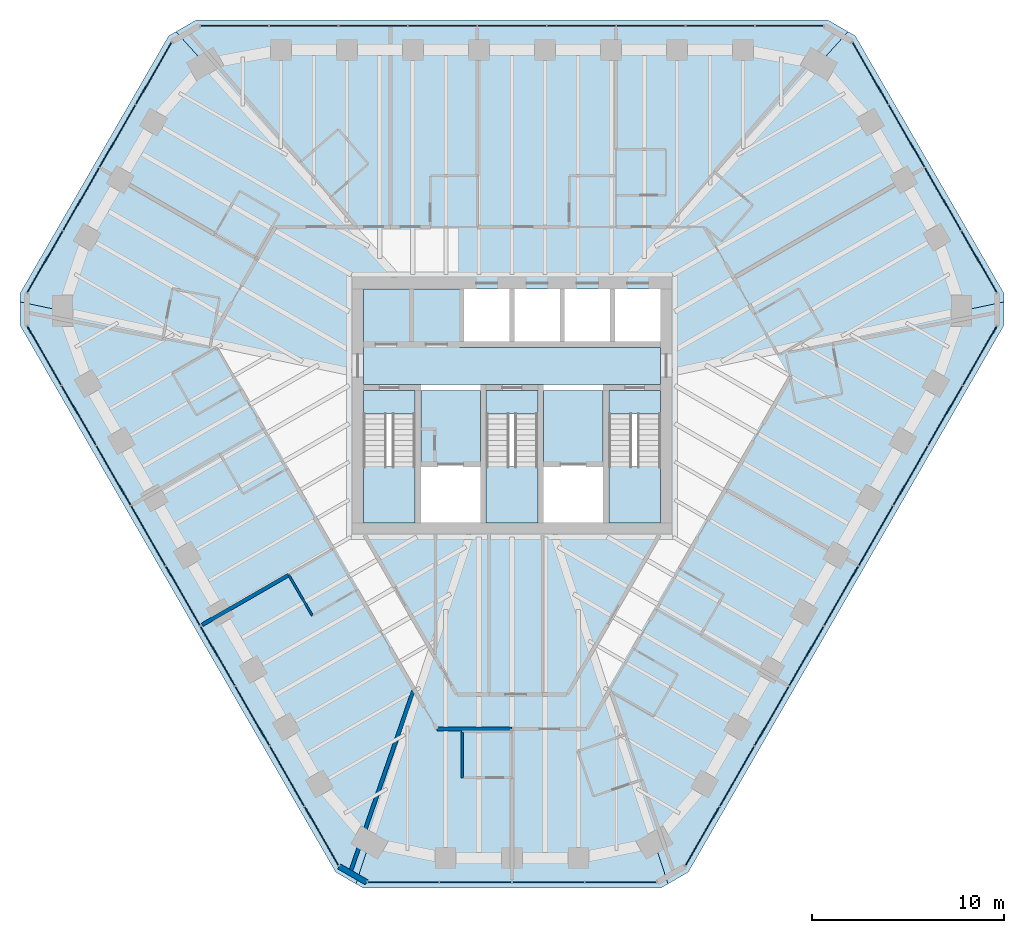
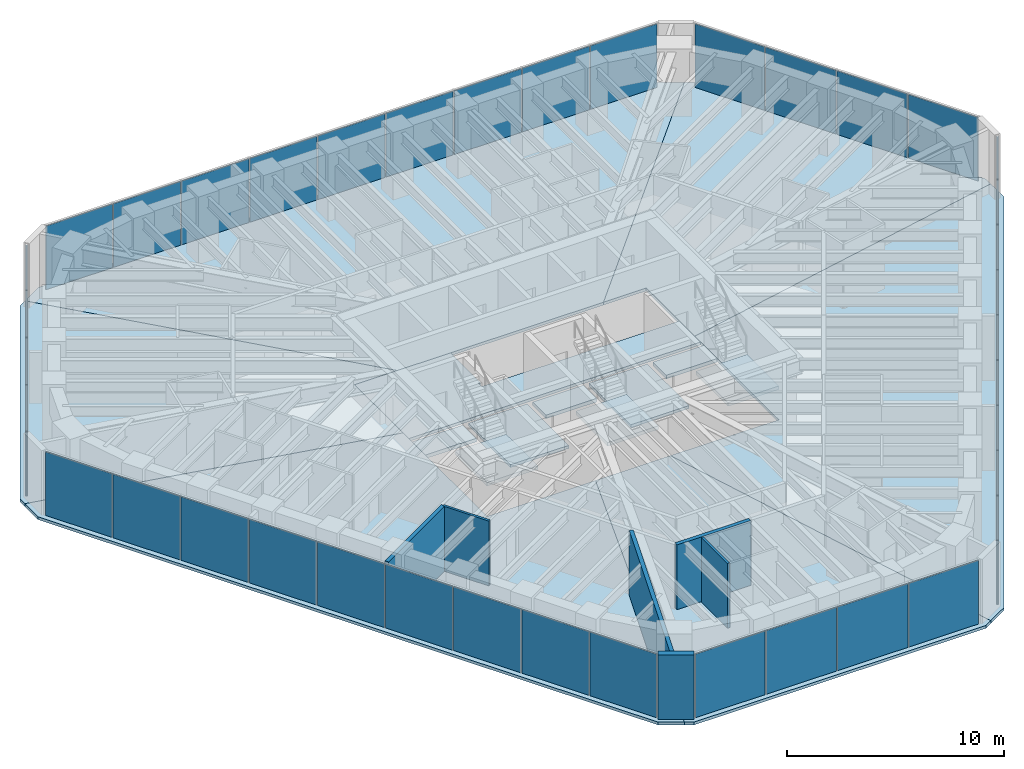
# One storey, part 8 of 14: 39 plates, 15 slabs, 6 walls, 9 elements without a shape of their own.
"""IFC4 building model written with IfcOpenShell, lengths in metres."""

from ifc_helpers import new_model, si_unit, direction, frame, frame_2d, origin, origin_2d, place, context, subcontext, project, spatial, polyline, rectangle, outline, extrude, material, layer, layer_set, type_object, element, aggregate, save


model = new_model("IFC4")

# Units and contexts
model_context = context("Model", 3, precision=1e-05, world=origin(), true_north=direction((0.0, 1.0)))
body_context = subcontext(model_context, "Body", "Model", "MODEL_VIEW")
ifc_project = project(units=[si_unit("LENGTHUNIT", "METRE"), si_unit("AREAUNIT", "SQUARE_METRE"), si_unit("VOLUMEUNIT", "CUBIC_METRE"), si_unit("PLANEANGLEUNIT", "RADIAN"), si_unit("MASSUNIT", "GRAM", prefix="KILO")], contexts=[model_context])

# Site, building, storey
site_placement = place(None, origin())
site = spatial("IfcSite", under=ifc_project, at=site_placement, CompositionType="ELEMENT")
building_placement = place(site_placement, origin())
building = spatial("IfcBuilding", under=site, at=building_placement, Name="Sandreach Pilgrim Tower", CompositionType="ELEMENT")
storey_placement = place(building_placement, frame((0.0, 0.0, 283.60009765625)))
storey = spatial("IfcBuildingStorey", under=building, at=storey_placement, Name="L71", CompositionType="ELEMENT", Elevation=283.60009765625)

# Curtain wall, plates
ifc_material_1 = material(Name="Aluminium framed curtain wall", Category="aluminium")
curtain_wall_type = type_object("IfcCurtainWallType", Name="Suite tower curtain wall", PredefinedType="NOTDEFINED", material=ifc_material_1)
curtain_wall_1_placement = place(storey_placement, origin())
curtain_wall_1 = element("IfcCurtainWall", 1, at=curtain_wall_1_placement, inside=storey, type_object=curtain_wall_type, Name="CW-4 L71 N", PredefinedType="NOTDEFINED")
ifc_material_2 = material(Name="Insulating glass unit 16.76 laminated + 24 argon + 16.76 laminated", Category="glass")
ifc_layer_1 = layer(ifc_material_2, 0.05810546875)
ifc_layer_set_1 = layer_set([ifc_layer_1], Name="CW-4 panel")
plate_type = type_object("IfcPlateType", Name="CW-4 panel", PredefinedType="CURTAIN_PANEL", material=ifc_layer_set_1)
plate_1_placement = place(storey_placement, frame((-14.472412109375, 19.826416015625, 0.0), z_axis=(0.0, 0.0, 1.0), x_axis=(1.0, 0.0, 0.0)))
plate_1 = element("IfcPlate", 2, at=plate_1_placement, type_object=plate_type, Name="CW-4 panel 1", PredefinedType="CURTAIN_PANEL", context=body_context, shape_type="SweptSolid", body=[
    extrude(rectangle(XDim=3.531982421875, YDim=0.05810546875, at=origin_2d()), origin(), (0.0, 0.0, 1.0), 3.570068359375),
])
plate_2_placement = place(storey_placement, frame((-10.865478515625, 19.826416015625, 0.0), z_axis=(0.0, 0.0, 1.0), x_axis=(1.0, 0.0, 0.0)))
plate_2 = element("IfcPlate", 3, at=plate_2_placement, type_object=plate_type, Name="CW-4 panel 2", PredefinedType="CURTAIN_PANEL", context=body_context, shape_type="SweptSolid", body=[
    extrude(rectangle(XDim=3.561767578125, YDim=0.05810546875, at=origin_2d()), origin(), (0.0, 0.0, 1.0), 3.570068359375),
])
plate_3_placement = place(storey_placement, frame((-7.24365234375, 19.826416015625, 0.0), z_axis=(0.0, 0.0, 1.0), x_axis=(1.0, 0.0, 0.0)))
plate_3 = element("IfcPlate", 4, at=plate_3_placement, type_object=plate_type, Name="CW-4 panel 3", PredefinedType="CURTAIN_PANEL", context=body_context, shape_type="SweptSolid", body=[
    extrude(rectangle(XDim=3.561767578125, YDim=0.05810546875, at=origin_2d()), origin(), (0.0, 0.0, 1.0), 3.570068359375),
])
plate_4_placement = place(storey_placement, frame((-3.621826171875, 19.826416015625, 0.0), z_axis=(0.0, 0.0, 1.0), x_axis=(1.0, 0.0, 0.0)))
plate_4 = element("IfcPlate", 5, at=plate_4_placement, type_object=plate_type, Name="CW-4 panel 4", PredefinedType="CURTAIN_PANEL", context=body_context, shape_type="SweptSolid", body=[
    extrude(rectangle(XDim=3.561767578125, YDim=0.05810546875, at=origin_2d()), origin(), (0.0, 0.0, 1.0), 3.570068359375),
])
plate_5_placement = place(storey_placement, frame((0.0, 19.826416015625, 0.0), z_axis=(0.0, 0.0, 1.0), x_axis=(1.0, 0.0, 0.0)))
plate_5 = element("IfcPlate", 6, at=plate_5_placement, type_object=plate_type, Name="CW-4 panel 5", PredefinedType="CURTAIN_PANEL", context=body_context, shape_type="SweptSolid", body=[
    extrude(rectangle(XDim=3.561767578125, YDim=0.05810546875, at=origin_2d()), origin(), (0.0, 0.0, 1.0), 3.570068359375),
])
plate_6_placement = place(storey_placement, frame((3.621826171875, 19.826416015625, 0.0), z_axis=(0.0, 0.0, 1.0), x_axis=(1.0, 0.0, 0.0)))
plate_6 = element("IfcPlate", 7, at=plate_6_placement, type_object=plate_type, Name="CW-4 panel 6", PredefinedType="CURTAIN_PANEL", context=body_context, shape_type="SweptSolid", body=[
    extrude(rectangle(XDim=3.561767578125, YDim=0.05810546875, at=origin_2d()), origin(), (0.0, 0.0, 1.0), 3.570068359375),
])
plate_7_placement = place(storey_placement, frame((7.24365234375, 19.826416015625, 0.0), z_axis=(0.0, 0.0, 1.0), x_axis=(1.0, 0.0, 0.0)))
plate_7 = element("IfcPlate", 8, at=plate_7_placement, type_object=plate_type, Name="CW-4 panel 7", PredefinedType="CURTAIN_PANEL", context=body_context, shape_type="SweptSolid", body=[
    extrude(rectangle(XDim=3.561767578125, YDim=0.05810546875, at=origin_2d()), origin(), (0.0, 0.0, 1.0), 3.570068359375),
])
plate_8_placement = place(storey_placement, frame((10.865478515625, 19.826416015625, 0.0), z_axis=(0.0, 0.0, 1.0), x_axis=(1.0, 0.0, 0.0)))
plate_8 = element("IfcPlate", 9, at=plate_8_placement, type_object=plate_type, Name="CW-4 panel 8", PredefinedType="CURTAIN_PANEL", context=body_context, shape_type="SweptSolid", body=[
    extrude(rectangle(XDim=3.561767578125, YDim=0.05810546875, at=origin_2d()), origin(), (0.0, 0.0, 1.0), 3.570068359375),
])
plate_9_placement = place(storey_placement, frame((14.472412109375, 19.826416015625, 0.0), z_axis=(0.0, 0.0, 1.0), x_axis=(1.0, 0.0, 0.0)))
plate_9 = element("IfcPlate", 10, at=plate_9_placement, type_object=plate_type, Name="CW-4 panel 9", PredefinedType="CURTAIN_PANEL", context=body_context, shape_type="SweptSolid", body=[
    extrude(rectangle(XDim=3.531982421875, YDim=0.05810546875, at=origin_2d()), origin(), (0.0, 0.0, 1.0), 3.570068359375),
])
aggregate(curtain_wall_1, [plate_1, plate_2, plate_3, plate_4, plate_5, plate_6, plate_7, plate_8, plate_9])

curtain_wall_2_placement = place(storey_placement, origin())
curtain_wall_2 = element("IfcCurtainWall", 11, at=curtain_wall_2_placement, inside=storey, type_object=curtain_wall_type, Name="CW-4 L71 NE", PredefinedType="NOTDEFINED")
plate_10_placement = place(storey_placement, frame((18.69140625, 17.341552734375, 0.0), z_axis=(0.0, 0.0, 1.0), x_axis=(0.5, -0.866025403784, 0.0)))
plate_10 = element("IfcPlate", 12, at=plate_10_placement, type_object=plate_type, Name="CW-4 panel 1", PredefinedType="CURTAIN_PANEL", context=body_context, shape_type="SweptSolid", body=[
    extrude(rectangle(XDim=3.70166015625, YDim=0.05810546875, at=origin_2d()), origin(), (0.0, 0.0, 1.0), 3.570068359375),
])
plate_11_placement = place(storey_placement, frame((20.579833984375, 14.07080078125, 0.0), z_axis=(0.0, 0.0, 1.0), x_axis=(0.5, -0.866025403784, 0.0)))
plate_11 = element("IfcPlate", 13, at=plate_11_placement, type_object=plate_type, Name="CW-4 panel 2", PredefinedType="CURTAIN_PANEL", context=body_context, shape_type="SweptSolid", body=[
    extrude(rectangle(XDim=3.731689453125, YDim=0.05810546875, at=origin_2d()), origin(), (0.0, 0.0, 1.0), 3.570068359375),
])
plate_12_placement = place(storey_placement, frame((22.4755859375, 10.787109375, 0.0), z_axis=(0.0, 0.0, 1.0), x_axis=(0.5, -0.866025403784, 0.0)))
plate_12 = element("IfcPlate", 14, at=plate_12_placement, type_object=plate_type, Name="CW-4 panel 3", PredefinedType="CURTAIN_PANEL", context=body_context, shape_type="SweptSolid", body=[
    extrude(rectangle(XDim=3.731689453125, YDim=0.05810546875, at=origin_2d()), origin(), (0.0, 0.0, 1.0), 3.570068359375),
])
plate_13_placement = place(storey_placement, frame((24.364013671875, 7.516357421875, 0.0), z_axis=(0.0, 0.0, 1.0), x_axis=(0.5, -0.866025403784, 0.0)))
plate_13 = element("IfcPlate", 15, at=plate_13_placement, type_object=plate_type, Name="CW-4 panel 4", PredefinedType="CURTAIN_PANEL", context=body_context, shape_type="SweptSolid", body=[
    extrude(rectangle(XDim=3.70166015625, YDim=0.05810546875, at=origin_2d()), origin(), (0.0, 0.0, 1.0), 3.570068359375),
])
aggregate(curtain_wall_2, [plate_10, plate_11, plate_12, plate_13])

curtain_wall_3_placement = place(storey_placement, origin())
curtain_wall_3 = element("IfcCurtainWall", 16, at=curtain_wall_3_placement, inside=storey, type_object=curtain_wall_type, Name="CW-4 L71 SE", PredefinedType="NOTDEFINED")
plate_14_placement = place(storey_placement, frame((24.406494140625, 2.620361328125, 0.0), z_axis=(0.0, 0.0, 1.0), x_axis=(-0.5, -0.866025403784, 0.0)))
plate_14 = element("IfcPlate", 17, at=plate_14_placement, type_object=plate_type, Name="CW-4 panel 1", PredefinedType="CURTAIN_PANEL", context=body_context, shape_type="SweptSolid", body=[
    extrude(rectangle(XDim=3.531982421875, YDim=0.05810546875, at=origin_2d()), origin(), (0.0, 0.0, 1.0), 3.570068359375),
])
plate_15_placement = place(storey_placement, frame((22.60302734375, -0.50341796875, 0.0), z_axis=(0.0, 0.0, 1.0), x_axis=(-0.5, -0.866025403784, 0.0)))
plate_15 = element("IfcPlate", 18, at=plate_15_placement, type_object=plate_type, Name="CW-4 panel 2", PredefinedType="CURTAIN_PANEL", context=body_context, shape_type="SweptSolid", body=[
    extrude(rectangle(XDim=3.561767578125, YDim=0.05810546875, at=origin_2d()), origin(), (0.0, 0.0, 1.0), 3.570068359375),
])
plate_16_placement = place(storey_placement, frame((20.7919921875, -3.639892578125, 0.0), z_axis=(0.0, 0.0, 1.0), x_axis=(-0.5, -0.866025403784, 0.0)))
plate_16 = element("IfcPlate", 19, at=plate_16_placement, type_object=plate_type, Name="CW-4 panel 3", PredefinedType="CURTAIN_PANEL", context=body_context, shape_type="SweptSolid", body=[
    extrude(rectangle(XDim=3.561767578125, YDim=0.05810546875, at=origin_2d()), origin(), (0.0, 0.0, 1.0), 3.570068359375),
])
plate_17_placement = place(storey_placement, frame((18.981201171875, -6.776611328125, 0.0), z_axis=(0.0, 0.0, 1.0), x_axis=(-0.5, -0.866025403784, 0.0)))
plate_17 = element("IfcPlate", 20, at=plate_17_placement, type_object=plate_type, Name="CW-4 panel 4", PredefinedType="CURTAIN_PANEL", context=body_context, shape_type="SweptSolid", body=[
    extrude(rectangle(XDim=3.561767578125, YDim=0.05810546875, at=origin_2d()), origin(), (0.0, 0.0, 1.0), 3.570068359375),
])
plate_18_placement = place(storey_placement, frame((17.170166015625, -9.913330078125, 0.0), z_axis=(0.0, 0.0, 1.0), x_axis=(-0.5, -0.866025403784, 0.0)))
plate_18 = element("IfcPlate", 21, at=plate_18_placement, type_object=plate_type, Name="CW-4 panel 5", PredefinedType="CURTAIN_PANEL", context=body_context, shape_type="SweptSolid", body=[
    extrude(rectangle(XDim=3.561767578125, YDim=0.05810546875, at=origin_2d()), origin(), (0.0, 0.0, 1.0), 3.570068359375),
])
plate_19_placement = place(storey_placement, frame((15.359375, -13.0498046875, 0.0), z_axis=(0.0, 0.0, 1.0), x_axis=(-0.5, -0.866025403784, 0.0)))
plate_19 = element("IfcPlate", 22, at=plate_19_placement, type_object=plate_type, Name="CW-4 panel 6", PredefinedType="CURTAIN_PANEL", context=body_context, shape_type="SweptSolid", body=[
    extrude(rectangle(XDim=3.561767578125, YDim=0.05810546875, at=origin_2d()), origin(), (0.0, 0.0, 1.0), 3.570068359375),
])
plate_20_placement = place(storey_placement, frame((13.54833984375, -16.1865234375, 0.0), z_axis=(0.0, 0.0, 1.0), x_axis=(-0.5, -0.866025403784, 0.0)))
plate_20 = element("IfcPlate", 23, at=plate_20_placement, type_object=plate_type, Name="CW-4 panel 7", PredefinedType="CURTAIN_PANEL", context=body_context, shape_type="SweptSolid", body=[
    extrude(rectangle(XDim=3.561767578125, YDim=0.05810546875, at=origin_2d()), origin(), (0.0, 0.0, 1.0), 3.570068359375),
])
plate_21_placement = place(storey_placement, frame((11.7373046875, -19.322998046875, 0.0), z_axis=(0.0, 0.0, 1.0), x_axis=(-0.5, -0.866025403784, 0.0)))
plate_21 = element("IfcPlate", 24, at=plate_21_placement, type_object=plate_type, Name="CW-4 panel 8", PredefinedType="CURTAIN_PANEL", context=body_context, shape_type="SweptSolid", body=[
    extrude(rectangle(XDim=3.561767578125, YDim=0.05810546875, at=origin_2d()), origin(), (0.0, 0.0, 1.0), 3.570068359375),
])
plate_22_placement = place(storey_placement, frame((9.93408203125, -22.44677734375, 0.0), z_axis=(0.0, 0.0, 1.0), x_axis=(-0.5, -0.866025403784, 0.0)))
plate_22 = element("IfcPlate", 25, at=plate_22_placement, type_object=plate_type, Name="CW-4 panel 9", PredefinedType="CURTAIN_PANEL", context=body_context, shape_type="SweptSolid", body=[
    extrude(rectangle(XDim=3.531982421875, YDim=0.05810546875, at=origin_2d()), origin(), (0.0, 0.0, 1.0), 3.570068359375),
])
aggregate(curtain_wall_3, [plate_14, plate_15, plate_16, plate_17, plate_18, plate_19, plate_20, plate_21, plate_22])

curtain_wall_4_placement = place(storey_placement, origin())
curtain_wall_4 = element("IfcCurtainWall", 26, at=curtain_wall_4_placement, inside=storey, type_object=curtain_wall_type, Name="CW-4 L71 S", PredefinedType="NOTDEFINED")
plate_23_placement = place(storey_placement, frame((5.672607421875, -24.858154296875, 0.0), z_axis=(0.0, 0.0, 1.0), x_axis=(-1.0, 0.0, 0.0)))
plate_23 = element("IfcPlate", 27, at=plate_23_placement, type_object=plate_type, Name="CW-4 panel 1", PredefinedType="CURTAIN_PANEL", context=body_context, shape_type="SweptSolid", body=[
    extrude(rectangle(XDim=3.70166015625, YDim=0.05810546875, at=origin_2d()), origin(), (0.0, 0.0, 1.0), 3.570068359375),
])
plate_24_placement = place(storey_placement, frame((1.895751953125, -24.858154296875, 0.0), z_axis=(0.0, 0.0, 1.0), x_axis=(-1.0, 0.0, 0.0)))
plate_24 = element("IfcPlate", 28, at=plate_24_placement, type_object=plate_type, Name="CW-4 panel 2", PredefinedType="CURTAIN_PANEL", context=body_context, shape_type="SweptSolid", body=[
    extrude(rectangle(XDim=3.731689453125, YDim=0.05810546875, at=origin_2d()), origin(), (0.0, 0.0, 1.0), 3.570068359375),
])
plate_25_placement = place(storey_placement, frame((-1.895751953125, -24.858154296875, 0.0), z_axis=(0.0, 0.0, 1.0), x_axis=(-1.0, 0.0, 0.0)))
plate_25 = element("IfcPlate", 29, at=plate_25_placement, type_object=plate_type, Name="CW-4 panel 3", PredefinedType="CURTAIN_PANEL", context=body_context, shape_type="SweptSolid", body=[
    extrude(rectangle(XDim=3.731689453125, YDim=0.05810546875, at=origin_2d()), origin(), (0.0, 0.0, 1.0), 3.570068359375),
])
plate_26_placement = place(storey_placement, frame((-5.672607421875, -24.858154296875, 0.0), z_axis=(0.0, 0.0, 1.0), x_axis=(-1.0, 0.0, 0.0)))
plate_26 = element("IfcPlate", 30, at=plate_26_placement, type_object=plate_type, Name="CW-4 panel 4", PredefinedType="CURTAIN_PANEL", context=body_context, shape_type="SweptSolid", body=[
    extrude(rectangle(XDim=3.70166015625, YDim=0.05810546875, at=origin_2d()), origin(), (0.0, 0.0, 1.0), 3.570068359375),
])
aggregate(curtain_wall_4, [plate_23, plate_24, plate_25, plate_26])

curtain_wall_5_placement = place(storey_placement, origin())
curtain_wall_5 = element("IfcCurtainWall", 31, at=curtain_wall_5_placement, inside=storey, type_object=curtain_wall_type, Name="CW-4 L71 SW", PredefinedType="NOTDEFINED")
plate_27_placement = place(storey_placement, frame((-9.93408203125, -22.44677734375, 0.0), z_axis=(0.0, 0.0, 1.0), x_axis=(-0.5, 0.866025403784, 0.0)))
plate_27 = element("IfcPlate", 32, at=plate_27_placement, type_object=plate_type, Name="CW-4 panel 1", PredefinedType="CURTAIN_PANEL", context=body_context, shape_type="SweptSolid", body=[
    extrude(rectangle(XDim=3.531982421875, YDim=0.05810546875, at=origin_2d()), origin(), (0.0, 0.0, 1.0), 3.570068359375),
])
plate_28_placement = place(storey_placement, frame((-11.7373046875, -19.322998046875, 0.0), z_axis=(0.0, 0.0, 1.0), x_axis=(-0.5, 0.866025403784, 0.0)))
plate_28 = element("IfcPlate", 33, at=plate_28_placement, type_object=plate_type, Name="CW-4 panel 2", PredefinedType="CURTAIN_PANEL", context=body_context, shape_type="SweptSolid", body=[
    extrude(rectangle(XDim=3.561767578125, YDim=0.05810546875, at=origin_2d()), origin(), (0.0, 0.0, 1.0), 3.570068359375),
])
plate_29_placement = place(storey_placement, frame((-13.54833984375, -16.1865234375, 0.0), z_axis=(0.0, 0.0, 1.0), x_axis=(-0.5, 0.866025403784, 0.0)))
plate_29 = element("IfcPlate", 34, at=plate_29_placement, type_object=plate_type, Name="CW-4 panel 3", PredefinedType="CURTAIN_PANEL", context=body_context, shape_type="SweptSolid", body=[
    extrude(rectangle(XDim=3.561767578125, YDim=0.05810546875, at=origin_2d()), origin(), (0.0, 0.0, 1.0), 3.570068359375),
])
plate_30_placement = place(storey_placement, frame((-15.359375, -13.0498046875, 0.0), z_axis=(0.0, 0.0, 1.0), x_axis=(-0.5, 0.866025403784, 0.0)))
plate_30 = element("IfcPlate", 35, at=plate_30_placement, type_object=plate_type, Name="CW-4 panel 4", PredefinedType="CURTAIN_PANEL", context=body_context, shape_type="SweptSolid", body=[
    extrude(rectangle(XDim=3.561767578125, YDim=0.05810546875, at=origin_2d()), origin(), (0.0, 0.0, 1.0), 3.570068359375),
])
plate_31_placement = place(storey_placement, frame((-17.170166015625, -9.913330078125, 0.0), z_axis=(0.0, 0.0, 1.0), x_axis=(-0.5, 0.866025403784, 0.0)))
plate_31 = element("IfcPlate", 36, at=plate_31_placement, type_object=plate_type, Name="CW-4 panel 5", PredefinedType="CURTAIN_PANEL", context=body_context, shape_type="SweptSolid", body=[
    extrude(rectangle(XDim=3.561767578125, YDim=0.05810546875, at=origin_2d()), origin(), (0.0, 0.0, 1.0), 3.570068359375),
])
plate_32_placement = place(storey_placement, frame((-18.981201171875, -6.776611328125, 0.0), z_axis=(0.0, 0.0, 1.0), x_axis=(-0.5, 0.866025403784, 0.0)))
plate_32 = element("IfcPlate", 37, at=plate_32_placement, type_object=plate_type, Name="CW-4 panel 6", PredefinedType="CURTAIN_PANEL", context=body_context, shape_type="SweptSolid", body=[
    extrude(rectangle(XDim=3.561767578125, YDim=0.05810546875, at=origin_2d()), origin(), (0.0, 0.0, 1.0), 3.570068359375),
])
plate_33_placement = place(storey_placement, frame((-20.7919921875, -3.639892578125, 0.0), z_axis=(0.0, 0.0, 1.0), x_axis=(-0.5, 0.866025403784, 0.0)))
plate_33 = element("IfcPlate", 38, at=plate_33_placement, type_object=plate_type, Name="CW-4 panel 7", PredefinedType="CURTAIN_PANEL", context=body_context, shape_type="SweptSolid", body=[
    extrude(rectangle(XDim=3.561767578125, YDim=0.05810546875, at=origin_2d()), origin(), (0.0, 0.0, 1.0), 3.570068359375),
])
plate_34_placement = place(storey_placement, frame((-22.60302734375, -0.50341796875, 0.0), z_axis=(0.0, 0.0, 1.0), x_axis=(-0.5, 0.866025403784, 0.0)))
plate_34 = element("IfcPlate", 39, at=plate_34_placement, type_object=plate_type, Name="CW-4 panel 8", PredefinedType="CURTAIN_PANEL", context=body_context, shape_type="SweptSolid", body=[
    extrude(rectangle(XDim=3.561767578125, YDim=0.05810546875, at=origin_2d()), origin(), (0.0, 0.0, 1.0), 3.570068359375),
])
plate_35_placement = place(storey_placement, frame((-24.406494140625, 2.620361328125, 0.0), z_axis=(0.0, 0.0, 1.0), x_axis=(-0.5, 0.866025403784, 0.0)))
plate_35 = element("IfcPlate", 40, at=plate_35_placement, type_object=plate_type, Name="CW-4 panel 9", PredefinedType="CURTAIN_PANEL", context=body_context, shape_type="SweptSolid", body=[
    extrude(rectangle(XDim=3.531982421875, YDim=0.05810546875, at=origin_2d()), origin(), (0.0, 0.0, 1.0), 3.570068359375),
])
aggregate(curtain_wall_5, [plate_27, plate_28, plate_29, plate_30, plate_31, plate_32, plate_33, plate_34, plate_35])

curtain_wall_6_placement = place(storey_placement, origin())
curtain_wall_6 = element("IfcCurtainWall", 41, at=curtain_wall_6_placement, inside=storey, type_object=curtain_wall_type, Name="CW-4 L71 NW", PredefinedType="NOTDEFINED")
plate_36_placement = place(storey_placement, frame((-24.364013671875, 7.516357421875, 0.0), z_axis=(0.0, 0.0, 1.0), x_axis=(0.5, 0.866025403784, 0.0)))
plate_36 = element("IfcPlate", 42, at=plate_36_placement, type_object=plate_type, Name="CW-4 panel 1", PredefinedType="CURTAIN_PANEL", context=body_context, shape_type="SweptSolid", body=[
    extrude(rectangle(XDim=3.70166015625, YDim=0.05810546875, at=origin_2d()), origin(), (0.0, 0.0, 1.0), 3.570068359375),
])
plate_37_placement = place(storey_placement, frame((-22.4755859375, 10.787109375, 0.0), z_axis=(0.0, 0.0, 1.0), x_axis=(0.5, 0.866025403784, 0.0)))
plate_37 = element("IfcPlate", 43, at=plate_37_placement, type_object=plate_type, Name="CW-4 panel 2", PredefinedType="CURTAIN_PANEL", context=body_context, shape_type="SweptSolid", body=[
    extrude(rectangle(XDim=3.731689453125, YDim=0.05810546875, at=origin_2d()), origin(), (0.0, 0.0, 1.0), 3.570068359375),
])
plate_38_placement = place(storey_placement, frame((-20.579833984375, 14.07080078125, 0.0), z_axis=(0.0, 0.0, 1.0), x_axis=(0.5, 0.866025403784, 0.0)))
plate_38 = element("IfcPlate", 44, at=plate_38_placement, type_object=plate_type, Name="CW-4 panel 3", PredefinedType="CURTAIN_PANEL", context=body_context, shape_type="SweptSolid", body=[
    extrude(rectangle(XDim=3.731689453125, YDim=0.05810546875, at=origin_2d()), origin(), (0.0, 0.0, 1.0), 3.570068359375),
])
plate_39_placement = place(storey_placement, frame((-18.69140625, 17.341552734375, 0.0), z_axis=(0.0, 0.0, 1.0), x_axis=(0.5, 0.866025403784, 0.0)))
plate_39 = element("IfcPlate", 45, at=plate_39_placement, type_object=plate_type, Name="CW-4 panel 4", PredefinedType="CURTAIN_PANEL", context=body_context, shape_type="SweptSolid", body=[
    extrude(rectangle(XDim=3.70166015625, YDim=0.05810546875, at=origin_2d()), origin(), (0.0, 0.0, 1.0), 3.570068359375),
])
aggregate(curtain_wall_6, [plate_36, plate_37, plate_38, plate_39])

# Slabs
ifc_material_3 = material(Name="Concrete 8000 psi", Category="concrete")
ifc_layer_2 = layer(ifc_material_3, 0.159912109375)
ifc_layer_set_2 = layer_set([ifc_layer_2], Name="Composite floor slab 160")
slab_type_1 = type_object("IfcSlabType", Name="Composite floor slab 160", PredefinedType="FLOOR", material=ifc_layer_set_2)
slab_1_placement = place(storey_placement, frame((0.0, 0.0, -0.16015625)))
element("IfcSlab", 46, at=slab_1_placement, inside=storey, type_object=slab_type_1, Name="Floor slab L71 N sector", PredefinedType="FLOOR", context=body_context, shape_type="SweptSolid", body=[
    extrude(outline(polyline([(-16.4716796875, 20.12646484375), (16.4716796875, 20.12646484375), (17.52587890625, 19.517822265625), (5.477294921875, 6.10009765625), (-5.477294921875, 6.10009765625), (-17.52587890625, 19.517822265625), (-16.4716796875, 20.12646484375)])), origin(), (0.0, 0.0, 1.0), 0.16015625),
])
slab_2_placement = place(storey_placement, frame((0.0, 0.0, -0.16015625)))
element("IfcSlab", 47, at=slab_2_placement, inside=storey, type_object=slab_type_1, Name="Floor slab L71 NE sector", PredefinedType="FLOOR", context=body_context, shape_type="SweptSolid", body=[
    extrude(outline(polyline([(17.9091796875, 19.29638671875), (25.665771484375, 5.861572265625), (25.665771484375, 5.4189453125), (7.75, 1.63623046875), (7.75, 6.10009765625), (5.477294921875, 6.10009765625), (17.52587890625, 19.517822265625), (17.9091796875, 19.29638671875)])), origin(), (0.0, 0.0, 1.0), 0.16015625),
])
slab_3_placement = place(storey_placement, frame((0.0, 0.0, -0.16015625)))
element("IfcSlab", 48, at=slab_3_placement, inside=storey, type_object=slab_type_1, Name="Floor slab L71 SE sector", PredefinedType="FLOOR", context=body_context, shape_type="SweptSolid", body=[
    extrude(outline(polyline([(25.665771484375, 4.20166015625), (9.194091796875, -24.327880859375), (8.139892578125, -24.936767578125), (1.9912109375, -6.10009765625), (7.75, -6.10009765625), (7.75, 1.63623046875), (25.665771484375, 5.4189453125), (25.665771484375, 4.20166015625)])), origin(), (0.0, 0.0, 1.0), 0.16015625),
])
slab_4_placement = place(storey_placement, frame((0.0, 0.0, -0.16015625)))
element("IfcSlab", 49, at=slab_4_placement, inside=storey, type_object=slab_type_1, Name="Floor slab L71 S sector", PredefinedType="FLOOR", context=body_context, shape_type="SweptSolid", body=[
    extrude(outline(polyline([(7.756591796875, -25.157958984375), (-7.756591796875, -25.157958984375), (-8.139892578125, -24.936767578125), (-1.9912109375, -6.10009765625), (1.9912109375, -6.10009765625), (8.139892578125, -24.936767578125), (7.756591796875, -25.157958984375)])), origin(), (0.0, 0.0, 1.0), 0.16015625),
])
slab_5_placement = place(storey_placement, frame((0.0, 0.0, -0.16015625)))
element("IfcSlab", 50, at=slab_5_placement, inside=storey, type_object=slab_type_1, Name="Floor slab L71 SW sector", PredefinedType="FLOOR", context=body_context, shape_type="SweptSolid", body=[
    extrude(outline(polyline([(-9.194091796875, -24.327880859375), (-25.665771484375, 4.20166015625), (-25.665771484375, 5.4189453125), (-7.75, 1.63623046875), (-7.75, -6.10009765625), (-1.9912109375, -6.10009765625), (-8.139892578125, -24.936767578125), (-9.194091796875, -24.327880859375)])), origin(), (0.0, 0.0, 1.0), 0.16015625),
])
slab_6_placement = place(storey_placement, frame((0.0, 0.0, -0.16015625)))
element("IfcSlab", 51, at=slab_6_placement, inside=storey, type_object=slab_type_1, Name="Floor slab L71 NW sector", PredefinedType="FLOOR", context=body_context, shape_type="SweptSolid", body=[
    extrude(outline(polyline([(-25.665771484375, 5.861572265625), (-17.9091796875, 19.29638671875), (-17.52587890625, 19.517822265625), (-5.477294921875, 6.10009765625), (-7.75, 6.10009765625), (-7.75, 1.63623046875), (-25.665771484375, 5.4189453125), (-25.665771484375, 5.861572265625)])), origin(), (0.0, 0.0, 1.0), 0.16015625),
])
slab_7_placement = place(storey_placement, frame((0.0, 0.0, -0.16015625)))
element("IfcSlab", 52, at=slab_7_placement, inside=storey, type_object=slab_type_1, Name="Core floor slab and stores L71", PredefinedType="FLOOR", context=body_context, shape_type="SweptSolid", body=[
    extrude(outline(polyline([(-2.75, 3.35009765625), (-2.75, 3.050048828125), (-0.125, 3.050048828125), (0.125, 3.050048828125), (2.5, 3.050048828125), (2.75, 3.050048828125), (5.125, 3.050048828125), (5.375, 3.050048828125), (7.75, 3.050048828125), (7.75, 1.10009765625), (5.050048828125, 1.10009765625), (4.75, 1.10009765625), (1.64990234375, 1.10009765625), (1.35009765625, 1.10009765625), (-1.35009765625, 1.10009765625), (-1.64990234375, 1.10009765625), (-4.75, 1.10009765625), (-5.050048828125, 1.10009765625), (-7.75, 1.10009765625), (-7.75, 6.10009765625), (-2.64990234375, 6.10009765625), (-2.64990234375, 3.35009765625), (-2.75, 3.35009765625)])), origin(), (0.0, 0.0, 1.0), 0.16015625),
])
slab_8_placement = place(storey_placement, frame((0.0, 0.0, -0.16015625)))
element("IfcSlab", 53, at=slab_8_placement, inside=storey, type_object=slab_type_1, Name="Core floor slab and stores L71 2", PredefinedType="FLOOR", context=body_context, shape_type="SweptSolid", body=[
    extrude(outline(polyline([(-1.64990234375, -3.050048828125), (-4.75, -3.050048828125), (-4.75, 0.800048828125), (-1.64990234375, 0.800048828125), (-1.64990234375, -3.050048828125)])), origin(), (0.0, 0.0, 1.0), 0.16015625),
])
slab_9_placement = place(storey_placement, frame((0.0, 0.0, -0.16015625)))
element("IfcSlab", 54, at=slab_9_placement, inside=storey, type_object=slab_type_1, Name="Core floor slab and stores L71 3", PredefinedType="FLOOR", context=body_context, shape_type="SweptSolid", body=[
    extrude(outline(polyline([(4.75, -3.050048828125), (1.64990234375, -3.050048828125), (1.64990234375, 0.800048828125), (4.75, 0.800048828125), (4.75, -3.050048828125)])), origin(), (0.0, 0.0, 1.0), 0.16015625),
])

# Stair, slabs
ifc_material_4 = material(Name="Concrete 8000 psi", Category="concrete")
stair_type = type_object("IfcStairType", Name="Core exit stair", PredefinedType="HALF_TURN_STAIR", material=ifc_material_4)
stair_1_placement = place(storey_placement, origin())
stair_1 = element("IfcStair", 55, at=stair_1_placement, inside=storey, type_object=stair_type, Name="Exit stair ST1 L71", PredefinedType="HALF_TURN_STAIR")
ifc_material_5 = material(Name="Concrete 8000 psi", Category="concrete")
ifc_layer_3 = layer(ifc_material_5, 0.199951171875)
ifc_layer_set_3 = layer_set([ifc_layer_3], Name="Core stair landing 200")
slab_type_2 = type_object("IfcSlabType", Name="Core stair landing 200", PredefinedType="LANDING", material=ifc_layer_set_3)
slab_10_placement = place(storey_placement, frame((0.0, 0.0, -0.2001953125)))
slab_10 = element("IfcSlab", 56, at=slab_10_placement, type_object=slab_type_2, Name="ST1 landing 1", PredefinedType="LANDING", context=body_context, shape_type="SweptSolid", body=[
    extrude(outline(polyline([(-7.75, -0.425048828125), (-5.050048828125, -0.425048828125), (-5.050048828125, 0.800048828125), (-7.75, 0.800048828125), (-7.75, -0.425048828125)])), origin(), (0.0, 0.0, 1.0), 0.2001953125),
])
slab_11_placement = place(storey_placement, frame((0.0, 0.0, 1.699951171875)))
slab_11 = element("IfcSlab", 57, at=slab_11_placement, type_object=slab_type_2, Name="ST1 landing 2", PredefinedType="LANDING", context=body_context, shape_type="SweptSolid", body=[
    extrude(outline(polyline([(-7.75, -6.10009765625), (-5.050048828125, -6.10009765625), (-5.050048828125, -3.175048828125), (-7.75, -3.175048828125), (-7.75, -6.10009765625)])), origin(), (0.0, 0.0, 1.0), 0.199951171875),
])
aggregate(stair_1, [slab_10, slab_11])

stair_2_placement = place(storey_placement, origin())
stair_2 = element("IfcStair", 58, at=stair_2_placement, inside=storey, type_object=stair_type, Name="Exit stair ST3 L71", PredefinedType="HALF_TURN_STAIR")
slab_12_placement = place(storey_placement, frame((0.0, 0.0, -0.2001953125)))
slab_12 = element("IfcSlab", 59, at=slab_12_placement, type_object=slab_type_2, Name="ST3 landing 1", PredefinedType="LANDING", context=body_context, shape_type="SweptSolid", body=[
    extrude(outline(polyline([(-1.35009765625, -0.425048828125), (1.35009765625, -0.425048828125), (1.35009765625, 0.800048828125), (-1.35009765625, 0.800048828125), (-1.35009765625, -0.425048828125)])), origin(), (0.0, 0.0, 1.0), 0.2001953125),
])
slab_13_placement = place(storey_placement, frame((0.0, 0.0, 1.699951171875)))
slab_13 = element("IfcSlab", 60, at=slab_13_placement, type_object=slab_type_2, Name="ST3 landing 2", PredefinedType="LANDING", context=body_context, shape_type="SweptSolid", body=[
    extrude(outline(polyline([(-1.35009765625, -6.10009765625), (1.35009765625, -6.10009765625), (1.35009765625, -3.175048828125), (-1.35009765625, -3.175048828125), (-1.35009765625, -6.10009765625)])), origin(), (0.0, 0.0, 1.0), 0.199951171875),
])
aggregate(stair_2, [slab_12, slab_13])

stair_3_placement = place(storey_placement, origin())
stair_3 = element("IfcStair", 61, at=stair_3_placement, inside=storey, type_object=stair_type, Name="Exit stair ST2 L71", PredefinedType="HALF_TURN_STAIR")
slab_14_placement = place(storey_placement, frame((0.0, 0.0, -0.2001953125)))
slab_14 = element("IfcSlab", 62, at=slab_14_placement, type_object=slab_type_2, Name="ST2 landing 1", PredefinedType="LANDING", context=body_context, shape_type="SweptSolid", body=[
    extrude(outline(polyline([(5.050048828125, -0.425048828125), (7.75, -0.425048828125), (7.75, 0.800048828125), (5.050048828125, 0.800048828125), (5.050048828125, -0.425048828125)])), origin(), (0.0, 0.0, 1.0), 0.2001953125),
])
slab_15_placement = place(storey_placement, frame((0.0, 0.0, 1.699951171875)))
slab_15 = element("IfcSlab", 63, at=slab_15_placement, type_object=slab_type_2, Name="ST2 landing 2", PredefinedType="LANDING", context=body_context, shape_type="SweptSolid", body=[
    extrude(outline(polyline([(5.050048828125, -6.10009765625), (7.75, -6.10009765625), (7.75, -3.175048828125), (5.050048828125, -3.175048828125), (5.050048828125, -6.10009765625)])), origin(), (0.0, 0.0, 1.0), 0.199951171875),
])
aggregate(stair_3, [slab_14, slab_15])

# Walls
ifc_material_6 = material(Name="Moisture-resistant gypsum board on steel studs", Category="steel")
ifc_layer_4 = layer(ifc_material_6, 0.1201171875)
ifc_layer_set_4 = layer_set([ifc_layer_4], Name="Bathroom partition 120")
wall_type_1 = type_object("IfcWallType", Name="Bathroom partition 120", PredefinedType="PARTITIONING", material=ifc_layer_set_4)
wall_1_placement = place(storey_placement, frame((-11.64990234375, -8.820068359375, 0.0), z_axis=(0.0, 0.0, 1.0), x_axis=(0.501856726365, -0.86495076519, 0.0)))
element("IfcWall", 64, at=wall_1_placement, inside=storey, type_object=wall_type_1, Name="Bathroom partition L71-030", PredefinedType="PARTITIONING", context=body_context, shape_type="SweptSolid", body=[
    extrude(rectangle(XDim=2.450927734375, YDim=0.1201171875, at=frame_2d((1.2255859375, 0.0))), origin(), (0.0, 0.0, 1.0), 3.639892578125),
])
wall_2_placement = place(storey_placement, frame((-2.60009765625, -17.010009765625, 0.0), z_axis=(0.0, 0.0, 1.0), x_axis=(0.0, -1.0, 0.0)))
element("IfcWall", 65, at=wall_2_placement, inside=storey, type_object=wall_type_1, Name="Bathroom partition L71-053", PredefinedType="PARTITIONING", context=body_context, shape_type="SweptSolid", body=[
    extrude(rectangle(XDim=2.39990234375, YDim=0.1201171875, at=frame_2d((1.199951171875, 0.0))), origin(), (0.0, 0.0, 1.0), 3.639892578125),
])
ifc_material_7 = material(Name="Gypsum board on steel studs, two layers each side", Category="steel")
ifc_layer_5 = layer(ifc_material_7, 0.199951171875)
ifc_layer_set_5 = layer_set([ifc_layer_5], Name="Corridor wall 200")
wall_type_2 = type_object("IfcWallType", Name="Corridor wall 200", PredefinedType="PARTITIONING", material=ifc_layer_set_5)
wall_3_placement = place(storey_placement, frame((-3.919921875, -16.860107421875, 0.0), z_axis=(0.0, 0.0, 1.0), x_axis=(1.0, 0.0, 0.0)))
element("IfcWall", 66, at=wall_3_placement, inside=storey, type_object=wall_type_2, Name="Corridor wall L71-050", PredefinedType="PARTITIONING", context=body_context, shape_type="SweptSolid", body=[
    extrude(rectangle(XDim=3.919921875, YDim=0.199951171875, at=frame_2d((1.9599609375, 0.0))), origin(), (0.0, 0.0, 1.0), 3.639892578125),
])
ifc_material_8 = material(Name="Double steel stud acoustic wall, gypsum board", Category="steel")
ifc_layer_6 = layer(ifc_material_8, 0.199951171875)
ifc_layer_set_6 = layer_set([ifc_layer_6], Name="Party wall 200")
wall_type_3 = type_object("IfcWallType", Name="Party wall 200", PredefinedType="PARTITIONING", material=ifc_layer_set_6)
wall_4_placement = place(storey_placement, frame((-16.156005859375, -11.419921875, 0.0), z_axis=(0.0, 0.0, 1.0), x_axis=(0.866170741273, 0.499748183552, 0.0)))
element("IfcWall", 67, at=wall_4_placement, inside=storey, type_object=wall_type_3, Name="Party wall L71-009", PredefinedType="PARTITIONING", context=body_context, shape_type="SweptSolid", body=[
    extrude(rectangle(XDim=5.202392578125, YDim=0.199951171875, at=frame_2d((2.60107421875, 0.0))), origin(), (0.0, 0.0, 1.0), 3.639892578125),
])
wall_5_placement = place(storey_placement, frame((-8.4501953125, -24.381591796875, 0.0), z_axis=(0.0, 0.0, 1.0), x_axis=(0.327695764917, 0.944783300898, 0.0)))
element("IfcWall", 68, at=wall_5_placement, inside=storey, type_object=wall_type_3, Name="Party wall L71-038", PredefinedType="PARTITIONING", context=body_context, shape_type="SweptSolid", body=[
    extrude(rectangle(XDim=10.057861328125, YDim=0.199951171875, at=frame_2d((5.02880859375, 0.0))), origin(), (0.0, 0.0, 1.0), 3.639892578125),
])
ifc_material_9 = material(Name="Terracotta rainscreen on concrete", Category="masonry")
ifc_layer_7 = layer(ifc_material_9, 0.300048828125)
ifc_layer_set_7 = layer_set([ifc_layer_7], Name="Terracotta chamfer pier")
wall_type_4 = type_object("IfcWallType", Name="Terracotta chamfer pier", PredefinedType="SOLIDWALL", material=ifc_layer_set_7)
wall_6_placement = place(storey_placement, frame((-7.58349609375, -24.858154296875, 0.0), z_axis=(0.0, 0.0, 1.0), x_axis=(-0.865989634427, 0.500061949227, 0.0)))
element("IfcWall", 69, at=wall_6_placement, inside=storey, type_object=wall_type_4, Name="Chamfer pier L71 S", PredefinedType="SOLIDWALL", context=body_context, shape_type="SweptSolid", body=[
    extrude(rectangle(XDim=1.659912109375, YDim=0.300048828125, at=frame_2d((0.830078125, 0.0))), origin(), (0.0, 0.0, 1.0), 3.639892578125),
])

save(model, "model.ifc")
